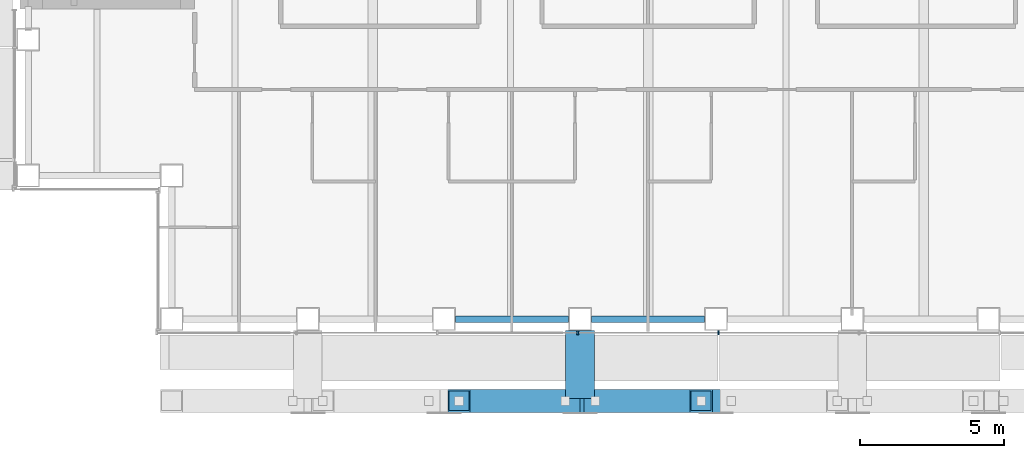
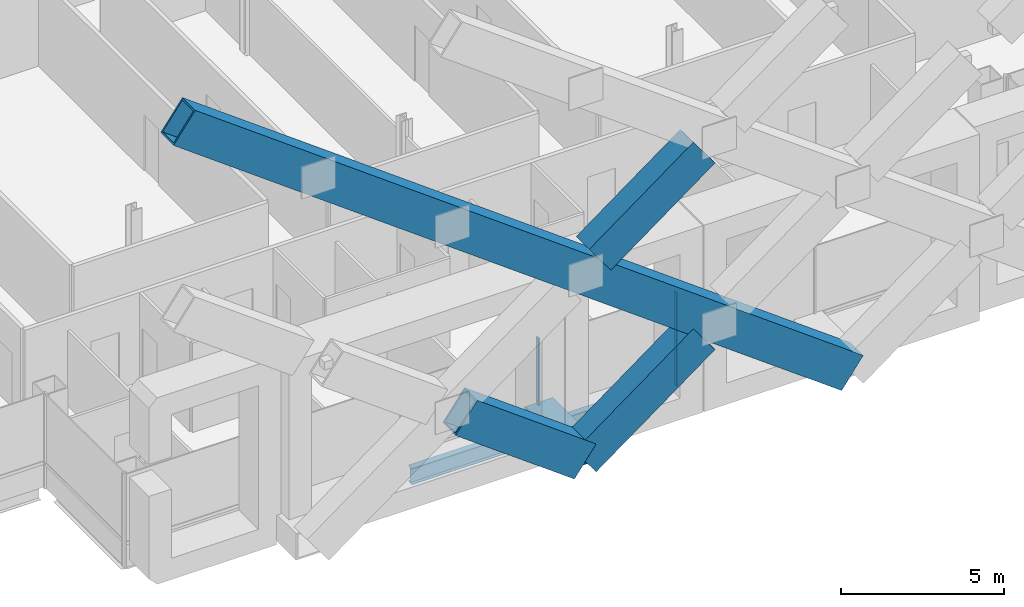
# One storey, part 4 of 25: 6 members, 3 beams, 1 element without a shape of its own.
"""IFC4 building model written with IfcOpenShell, lengths in metres."""

from ifc_helpers import new_model, si_unit, direction, frame, origin, origin_2d, place, context, subcontext, project, spatial, rectangle, hollow_rectangle, i_section, extrude, material, material_profile, profile_set, type_object, element, aggregate, save


model = new_model("IFC4")

# Units and contexts
model_context = context("Model", 3, precision=1e-05, world=origin(), true_north=direction((0.0, 1.0)))
body_context = subcontext(model_context, "Body", "Model", "MODEL_VIEW")
ifc_project = project(units=[si_unit("LENGTHUNIT", "METRE"), si_unit("AREAUNIT", "SQUARE_METRE"), si_unit("VOLUMEUNIT", "CUBIC_METRE"), si_unit("PLANEANGLEUNIT", "RADIAN"), si_unit("MASSUNIT", "GRAM", prefix="KILO")], contexts=[model_context])

# Site, building, storey
site_placement = place(None, origin())
site = spatial("IfcSite", under=ifc_project, at=site_placement, CompositionType="ELEMENT")
building_placement = place(site_placement, origin())
building = spatial("IfcBuilding", under=site, at=building_placement, Name="Cobrizo Arcos Hotel Tower", CompositionType="ELEMENT")
storey_placement = place(building_placement, frame((0.0, 0.0, 148.0)))
storey = spatial("IfcBuildingStorey", under=building, at=storey_placement, Name="L37", CompositionType="ELEMENT", Elevation=148.0)

# Beam
ifc_material_1 = material(Name="Steel ASTM A572 Grade 50", Category="steel")
ifc_material_profile_1 = material_profile(ifc_material_1, hollow_rectangle(XDim=1.0, YDim=1.0, WallThickness=0.06005859375, at=origin_2d()), Name="BOX 1000X1000X60")
ifc_profile_set_1 = profile_set([ifc_material_profile_1], Name="Steel ASTM A572 Grade 50")
beam_type_1 = type_object("IfcBeamType", Name="BOX 1000X1000X60 brace connector strut", PredefinedType="BEAM", material=ifc_profile_set_1)
beam_1_placement = place(storey_placement, frame((-2.371337890625, -21.989990234375, 0.5), z_axis=(0.0, -1.0, 0.0), x_axis=(1.0, 0.0, 0.0)))
element("IfcBeam", 1, at=beam_1_placement, inside=storey, type_object=beam_type_1, Name="Perimeter brace stub BS1, zone Z3, south face, offset -2.37 m, L37", PredefinedType="BEAM", context=body_context, shape_type="SweptSolid", body=[
    extrude(hollow_rectangle(XDim=1.0, YDim=1.0, WallThickness=0.06005859375, at=origin_2d()), origin(), (0.0, 0.0, 1.0), 2.380126953125),
])

# Members
ifc_material_profile_2 = material_profile(ifc_material_1, hollow_rectangle(XDim=0.800048828125, YDim=1.300048828125, WallThickness=0.06005859375, at=origin_2d()), Name="BOX 800X1300X60")
ifc_profile_set_2 = profile_set([ifc_material_profile_2], Name="Steel ASTM A572 Grade 50")
member_type_1 = type_object("IfcMemberType", Name="BOX 800X1300X60 perimeter brace", PredefinedType="BRACE", material=ifc_profile_set_2)
member_1_placement = place(storey_placement, frame((7.1142578125, -24.449951171875, 0.5), z_axis=(-0.804630052623, 0.0, 0.593776454918), x_axis=(0.0, -1.0, 0.0)))
element("IfcMember", 2, at=member_1_placement, inside=storey, type_object=member_type_1, Name="Perimeter brace PBR3, zone Z3, south face, no. 03", PredefinedType="BRACE", context=body_context, shape_type="SweptSolid", body=[
    extrude(hollow_rectangle(XDim=0.800048828125, YDim=1.300048828125, WallThickness=0.06005859375, at=origin_2d()), origin(), (0.0, 0.0, 1.0), 29.472412109375),
])
member_2_placement = place(storey_placement, frame((-1.84814453125, -24.449951171875, 7.885986328125), z_axis=(0.804593425363, 0.0, 0.593826085536), x_axis=(0.0, 1.0, 0.0)))
element("IfcMember", 3, at=member_2_placement, inside=storey, type_object=member_type_1, Name="Perimeter brace PBR3, zone Z3, south face, no. 00b", PredefinedType="BRACE", context=body_context, shape_type="SweptSolid", body=[
    extrude(hollow_rectangle(XDim=0.800048828125, YDim=1.300048828125, WallThickness=0.06005859375, at=origin_2d()), origin(), (0.0, 0.0, 1.0), 4.593994140625),
])
member_3_placement = place(storey_placement, frame((-2.371337890625, -24.449951171875, 0.5), z_axis=(-0.804623858684, 0.0, 0.593784848271), x_axis=(0.0, -1.0, 0.0)))
element("IfcMember", 4, at=member_3_placement, inside=storey, type_object=member_type_1, Name="Perimeter brace PBR3, zone Z3, south face, no. 01", PredefinedType="BRACE", context=body_context, shape_type="SweptSolid", body=[
    extrude(hollow_rectangle(XDim=0.800048828125, YDim=1.300048828125, WallThickness=0.06005859375, at=origin_2d()), origin(), (0.0, 0.0, 1.0), 5.244384765625),
])
member_4_placement = place(storey_placement, frame((-2.371337890625, -24.449951171875, 0.5), z_axis=(0.804607444048, 0.0, 0.593807090715), x_axis=(0.0, 1.0, 0.0)))
element("IfcMember", 5, at=member_4_placement, inside=storey, type_object=member_type_1, Name="Perimeter brace PBR3, zone Z3, south face, no. 02", PredefinedType="BRACE", context=body_context, shape_type="SweptSolid", body=[
    extrude(hollow_rectangle(XDim=0.800048828125, YDim=1.300048828125, WallThickness=0.06005859375, at=origin_2d()), origin(), (0.0, 0.0, 1.0), 5.244140625),
])

# Curtain wall, members
ifc_material_2 = material(Name="Aluminium 6063-T6 anodised bronze", Category="aluminium")
curtain_wall_type = type_object("IfcCurtainWallType", Name="CW-A guest facade", PredefinedType="NOTDEFINED", material=ifc_material_2)
curtain_wall_placement = place(storey_placement, origin())
curtain_wall = element("IfcCurtainWall", 6, at=curtain_wall_placement, inside=storey, type_object=curtain_wall_type, Name="CW-A L37 S face", PredefinedType="NOTDEFINED")
ifc_material_profile_3 = material_profile(ifc_material_2, rectangle(XDim=0.14990234375, YDim=0.06005859375, at=origin_2d()), Name="CW-A mullion 150x60")
ifc_profile_set_3 = profile_set([ifc_material_profile_3], Name="Aluminium 6063-T6 anodised bronze")
member_type_2 = type_object("IfcMemberType", Name="CW-A mullion 150x60", PredefinedType="MULLION", material=ifc_profile_set_3)
member_5_placement = place(storey_placement, frame((-2.449951171875, -22.074951171875, 0.0), z_axis=(0.0, 0.0, 1.0), x_axis=(0.0, -1.0, 0.0)))
member_5 = element("IfcMember", 7, at=member_5_placement, type_object=member_type_2, Name="CW-A mullion 4", PredefinedType="MULLION", context=body_context, shape_type="SweptSolid", body=[
    extrude(rectangle(XDim=0.14990234375, YDim=0.06005859375, at=origin_2d()), origin(), (0.0, 0.0, 1.0), 3.5),
])
member_6_placement = place(storey_placement, frame((2.449951171875, -22.074951171875, 0.0), z_axis=(0.0, 0.0, 1.0), x_axis=(0.0, -1.0, 0.0)))
member_6 = element("IfcMember", 8, at=member_6_placement, type_object=member_type_2, Name="CW-A mullion 5", PredefinedType="MULLION", context=body_context, shape_type="SweptSolid", body=[
    extrude(rectangle(XDim=0.14990234375, YDim=0.06005859375, at=origin_2d()), origin(), (0.0, 0.0, 1.0), 3.5),
])
aggregate(curtain_wall, [member_5, member_6])

# Beams
ifc_material_3 = material(Name="Steel ASTM A992 Grade 50", Category="steel")
ifc_material_profile_4 = material_profile(ifc_material_3, i_section(OverallWidth=0.228271484375, OverallDepth=0.607177734375, WebThickness=0.01123046875, FlangeThickness=0.017333984375, at=origin_2d()), Name="W24X76")
ifc_profile_set_4 = profile_set([ifc_material_profile_4], Name="Steel ASTM A992 Grade 50")
beam_type_2 = type_object("IfcBeamType", Name="W24X76 spandrel", PredefinedType="SPANDREL", material=ifc_profile_set_4)
beam_2_placement = place(storey_placement, frame((-6.714111328125, -21.60009765625, -0.45361328125), z_axis=(1.0, 0.0, 0.0), x_axis=(0.0, 1.0, 0.0)))
element("IfcBeam", 9, at=beam_2_placement, inside=storey, type_object=beam_type_2, Name="Spandrel beam W24X76, L37, no. 003", PredefinedType="SPANDREL", context=body_context, shape_type="SweptSolid", body=[
    extrude(i_section(OverallWidth=0.228271484375, OverallDepth=0.607177734375, WebThickness=0.01123046875, FlangeThickness=0.017333984375, at=origin_2d()), origin(), (0.0, 0.0, 1.0), 3.943115234375),
])
beam_3_placement = place(storey_placement, frame((-1.970947265625, -21.60009765625, -0.45361328125), z_axis=(1.0, 0.0, 0.0), x_axis=(0.0, 1.0, 0.0)))
element("IfcBeam", 10, at=beam_3_placement, inside=storey, type_object=beam_type_2, Name="Spandrel beam W24X76, L37, no. 004", PredefinedType="SPANDREL", context=body_context, shape_type="SweptSolid", body=[
    extrude(i_section(OverallWidth=0.228271484375, OverallDepth=0.607177734375, WebThickness=0.01123046875, FlangeThickness=0.017333984375, at=origin_2d()), origin(), (0.0, 0.0, 1.0), 3.94189453125),
])

save(model, "model.ifc")
